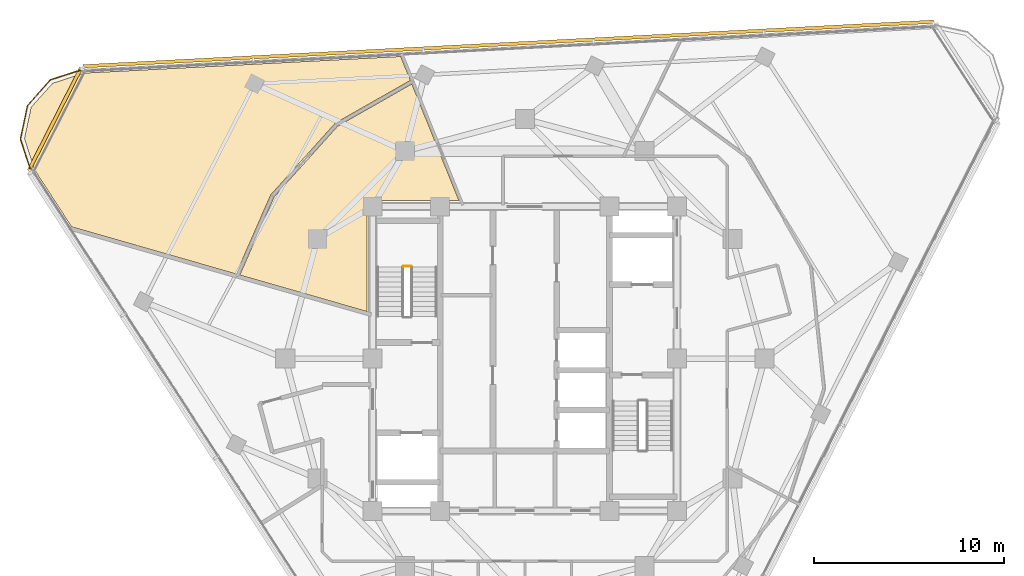
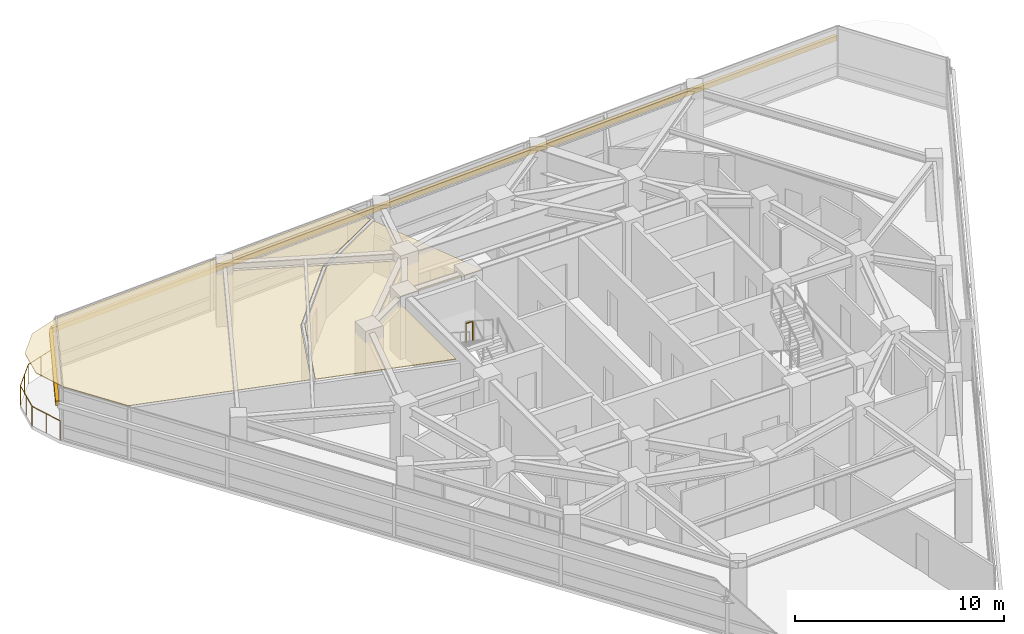
# One storey, part 14 of 15: 2 coverings, 2 railings, 2 shading devices.
"""IFC4 building model written with IfcOpenShell, lengths in metres."""

from ifc_helpers import new_model, si_unit, direction, frame, origin, origin_2d, place, context, subcontext, project, spatial, polyline, rectangle, circle, outline, extrude, material, layer, layer_set, type_object, element, save


model = new_model("IFC4")

# Units and contexts
model_context = context("Model", 3, precision=1e-05, world=origin(), true_north=direction((0.0, 1.0)))
body_context = subcontext(model_context, "Body", "Model", "MODEL_VIEW")
ifc_project = project(units=[si_unit("LENGTHUNIT", "METRE"), si_unit("AREAUNIT", "SQUARE_METRE"), si_unit("VOLUMEUNIT", "CUBIC_METRE"), si_unit("PLANEANGLEUNIT", "RADIAN"), si_unit("MASSUNIT", "GRAM", prefix="KILO")], contexts=[model_context])

# Site, building, storey
site_placement = place(None, origin())
site = spatial("IfcSite", under=ifc_project, at=site_placement, CompositionType="ELEMENT")
building_placement = place(site_placement, origin())
building = spatial("IfcBuilding", under=site, at=building_placement, Name="Terralouvre Media Tower", CompositionType="ELEMENT")
storey_placement = place(building_placement, frame((0.0, 0.0, 267.0)))
storey = spatial("IfcBuildingStorey", under=building, at=storey_placement, Name="L69", CompositionType="ELEMENT", Elevation=267.0)

# Coverings
ifc_material_1 = material(Name="Perforated aluminium acoustic ceiling baffle", Category="aluminium")
ifc_layer_1 = layer(ifc_material_1, 0.0400390625, Name="Perforated Acoustic Metal Tile Ceiling CL-AC1")
ifc_layer_set_1 = layer_set([ifc_layer_1], Name="Perforated aluminium acoustic ceiling baffle")
covering_type = type_object("IfcCoveringType", Name="Perforated Acoustic Metal Tile Ceiling CL-AC1", PredefinedType="CEILING", material=ifc_layer_set_1)
covering_1_placement = place(storey_placement, frame((0.0, 0.0, 2.97998046875), z_axis=(0.0, 0.0, 1.0), x_axis=(0.45399049974, 0.891006524188, 0.0)))
element("IfcCovering", 1, at=covering_1_placement, inside=storey, type_object=covering_type, Name="L69 Foreign Copy Desk Office 8 Acoustic Ceiling", PredefinedType="CEILING", context=body_context, shape_type="SweptSolid", body=[
    extrude(outline(polyline([(6.427001953125, 14.323486328125), (1.595703125, 15.61767578125), (-2.88330078125, 15.356201171875), (-1.556884765625, 8.533203125), (3.54248046875, 11.131591796875), (3.551513671875, 11.135498046875), (3.560791015625, 11.138671875), (3.5703125, 11.140869140625), (3.580078125, 11.14208984375), (3.58984375, 11.142333984375), (3.599609375, 11.1416015625), (3.609375, 11.14013671875), (3.618896484375, 11.137451171875), (3.6279296875, 11.134033203125), (3.63671875, 11.129638671875), (3.64501953125, 11.12451171875), (3.65283203125, 11.118408203125), (3.659912109375, 11.11181640625), (3.66650390625, 11.104248046875), (3.672119140625, 11.096435546875), (3.677001953125, 11.087890625), (5.8310546875, 6.8603515625), (10.17529296875, 11.857666015625), (6.427001953125, 14.323486328125)])), origin(), (0.0, 0.0, 1.0), 0.0400390625),
])
covering_2_placement = place(storey_placement, frame((0.0, 0.0, 2.97998046875), z_axis=(0.0, 0.0, 1.0), x_axis=(0.45399049974, 0.891006524188, 0.0)))
element("IfcCovering", 2, at=covering_2_placement, inside=storey, type_object=covering_type, Name="L69 Morning Rundown Briefing Room 9 Acoustic Ceiling", PredefinedType="CEILING", context=body_context, shape_type="SweptSolid", body=[
    extrude(outline(polyline([(-2.921875, 15.554443359375), (1.60009765625, 15.818115234375), (1.61083984375, 15.818359375), (1.62158203125, 15.817138671875), (1.6318359375, 15.81494140625), (6.494140625, 14.512451171875), (6.50439453125, 14.509033203125), (6.51416015625, 14.504638671875), (6.5234375, 14.499267578125), (10.3076171875, 12.010009765625), (11.196044921875, 13.032470703125), (2.855224609375, 27.47998046875), (1.63623046875, 28.699462890625), (-0.000244140625, 29.137451171875), (-1.635986328125, 28.698974609375), (-2.85546875, 27.479736328125), (-4.638671875, 24.389892578125), (-2.921875, 15.554443359375)])), origin(), (0.0, 0.0, 1.0), 0.0400390625),
])

# Railings
ifc_material_2 = material(Name="Stainless steel 316 handrail and balustrade", Category="steel")
ifc_layer_2 = layer(ifc_material_2, 0.06005859375, Name="Roof Edge Safety Guardrail GR-ROOF1")
ifc_layer_set_2 = layer_set([ifc_layer_2], Name="Stainless steel 316 handrail and balustrade")
railing_type_1 = type_object("IfcRailingType", Name="Roof Edge Safety Guardrail GR-ROOF1", PredefinedType="GUARDRAIL", material=ifc_layer_set_2)
railing_1_placement = place(storey_placement, frame((-23.216796875, 15.2294921875, 0.0)))
element("IfcRailing", 3, at=railing_1_placement, inside=storey, type_object=railing_type_1, Name="L69 Wind-Corner Perimeter Safety Guardrail C2", PredefinedType="GUARDRAIL", context=body_context, shape_type="SweptSolid", body=[
    extrude(circle(Radius=0.02099609375, at=origin_2d()), frame((0.0, 0.0, 1.12890625), z_axis=(-0.951160789169, -0.308695891043, 0.0), x_axis=(0.308695891043, -0.951160789169, 0.0)), (0.0, 0.0, 1.0), 1.81103515625),
    extrude(circle(Radius=0.02099609375, at=origin_2d()), frame((-1.72265625, -0.55908203125, 1.12890625), z_axis=(-0.66920303756, -0.743079601739, 0.0), x_axis=(0.743079601739, -0.66920303756, 0.0)), (0.0, 0.0, 1.0), 1.81103515625),
    extrude(circle(Radius=0.02099609375, at=origin_2d()), frame((-2.9345703125, -1.90478515625, 1.12890625), z_axis=(-0.207770065545, -0.978177693399, 0.0), x_axis=(0.978177693399, -0.207770065545, 0.0)), (0.0, 0.0, 1.0), 1.810791015625),
    extrude(circle(Radius=0.02099609375, at=origin_2d()), frame((-3.310791015625, -3.676025390625, 1.12890625), z_axis=(0.309223227826, -0.950989482262, 0.0), x_axis=(0.950989482262, 0.309223227826, 0.0)), (0.0, 0.0, 1.0), 1.811279296875),
    extrude(circle(Radius=0.01904296875, at=origin_2d()), origin(), (0.0, 0.0, 1.0), 1.10791015625),
    extrude(circle(Radius=0.01904296875, at=origin_2d()), frame((-0.861328125, -0.279541015625, 0.0)), (0.0, 0.0, 1.0), 1.10791015625),
    extrude(circle(Radius=0.01904296875, at=origin_2d()), frame((-1.72265625, -0.55908203125, 0.0)), (0.0, 0.0, 1.0), 1.10791015625),
    extrude(circle(Radius=0.01904296875, at=origin_2d()), frame((-2.32861328125, -1.23193359375, 0.0)), (0.0, 0.0, 1.0), 1.10791015625),
    extrude(circle(Radius=0.01904296875, at=origin_2d()), frame((-2.9345703125, -1.90478515625, 0.0)), (0.0, 0.0, 1.0), 1.10791015625),
    extrude(circle(Radius=0.01904296875, at=origin_2d()), frame((-3.12255859375, -2.79052734375, 0.0)), (0.0, 0.0, 1.0), 1.10791015625),
    extrude(circle(Radius=0.01904296875, at=origin_2d()), frame((-3.310791015625, -3.676025390625, 0.0)), (0.0, 0.0, 1.0), 1.10791015625),
    extrude(circle(Radius=0.01904296875, at=origin_2d()), frame((-3.03076171875, -4.537109375, 0.0)), (0.0, 0.0, 1.0), 1.10791015625),
    extrude(circle(Radius=0.01904296875, at=origin_2d()), frame((-2.750732421875, -5.3984375, 0.0)), (0.0, 0.0, 1.0), 1.10791015625),
])
ifc_material_3 = material(Name="Stainless steel 316 handrail and balustrade", Category="steel")
ifc_layer_3 = layer(ifc_material_3, 0.050048828125, Name="Stairwell Safety Guardrail GR-INT1")
ifc_layer_set_3 = layer_set([ifc_layer_3], Name="Stainless steel 316 handrail and balustrade")
railing_type_2 = type_object("IfcRailingType", Name="Stairwell Safety Guardrail GR-INT1", PredefinedType="GUARDRAIL", material=ifc_layer_set_3)
railing_2_placement = place(storey_placement, frame((-6.0, 4.8701171875, 1.85009765625)))
element("IfcRailing", 4, at=railing_2_placement, inside=storey, type_object=railing_type_2, Name="L69 ST-01 stair guard 2", PredefinedType="GUARDRAIL", context=body_context, shape_type="SweptSolid", body=[
    extrude(circle(Radius=0.02392578125, at=origin_2d()), frame((0.0, 0.0, 1.1259765625), z_axis=(-1.0, 0.0, 0.0), x_axis=(0.0, -1.0, 0.0)), (0.0, 0.0, 1.0), 0.3798828125),
    extrude(circle(Radius=0.02099609375, at=origin_2d()), origin(), (0.0, 0.0, 1.0), 1.101806640625),
    extrude(circle(Radius=0.02099609375, at=origin_2d()), frame((-0.3798828125, 0.0, 0.0)), (0.0, 0.0, 1.0), 1.101806640625),
])

# Shading devices
ifc_material_4 = material(Name="Extruded terracotta baguette sunshade louvres", Category="masonry")
shading_device_type = type_object("IfcShadingDeviceType", Name="Terracotta Baguette Sunshade Louvre Screen TB-LV1", PredefinedType="USERDEFINED", material=ifc_material_4)
shading_device_1_placement = place(storey_placement, frame((-0.867431640625, 16.550048828125, 2.02392578125), z_axis=(0.0, 0.0, 1.0), x_axis=(-0.998629523875, -0.052336163844, 0.0)))
element("IfcShadingDevice", 5, at=shading_device_1_placement, inside=storey, type_object=shading_device_type, Name="CW-L69-F1 Terracotta Baguette Sunshade Louvre", ObjectType="BAGUETTE", PredefinedType="USERDEFINED", context=body_context, shape_type="SweptSolid", body=[
    extrude(rectangle(XDim=44.800048828125, YDim=0.179931640625, at=origin_2d()), origin(), (0.0, 0.0, 1.0), 0.280029296875),
])
shading_device_2_placement = place(storey_placement, frame((-24.71240234375, 12.591552734375, 2.02392578125), z_axis=(0.0, 0.0, 1.0), x_axis=(-0.453990349937, -0.891006600517, 0.0)))
element("IfcShadingDevice", 6, at=shading_device_2_placement, inside=storey, type_object=shading_device_type, Name="CW-L69-C2 Terracotta Baguette Sunshade Louvre", ObjectType="BAGUETTE", PredefinedType="USERDEFINED", context=body_context, shape_type="SweptSolid", body=[
    extrude(rectangle(XDim=6.062255859375, YDim=0.179931640625, at=origin_2d()), origin(), (0.0, 0.0, 1.0), 0.280029296875),
])

save(model, "model.ifc")
